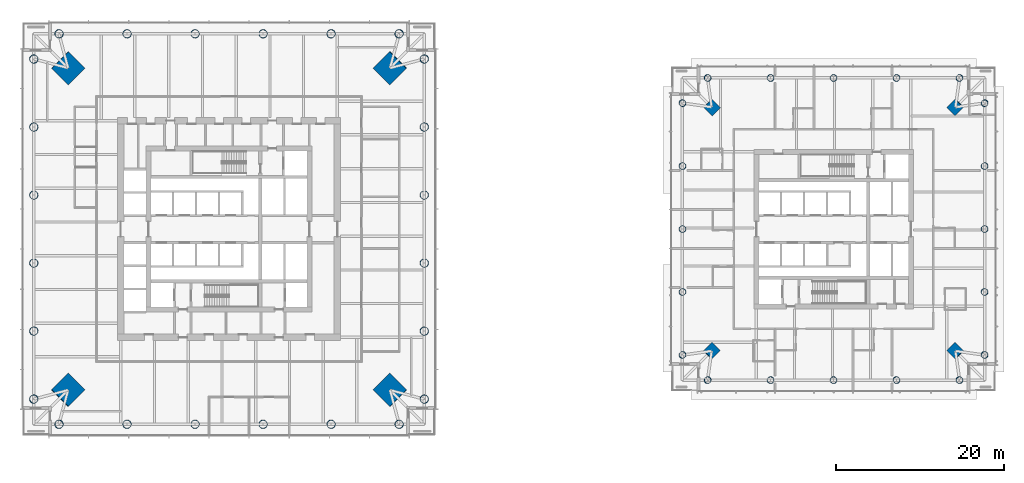
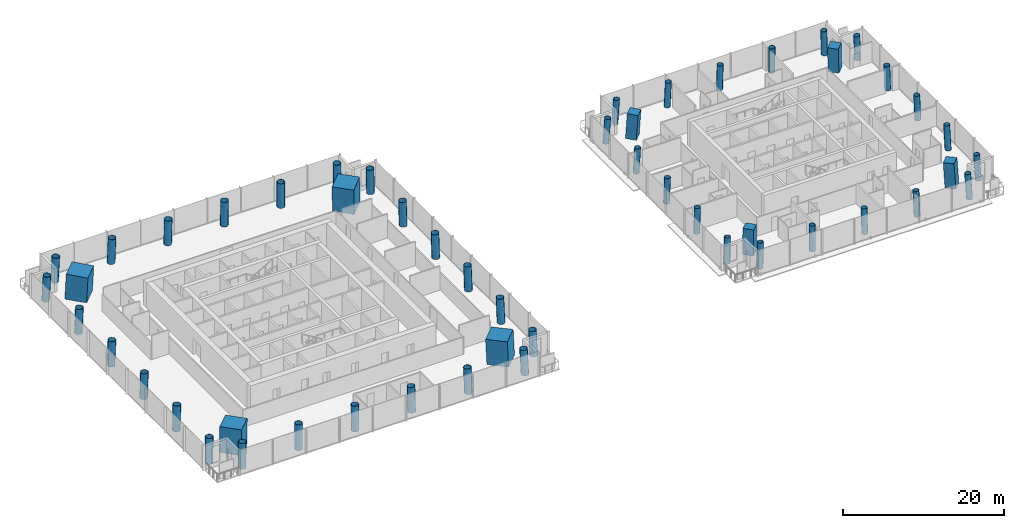
# One storey, part 1 of 21: 52 columns.
"""IFC4 building model written with IfcOpenShell, lengths in metres."""

from ifc_helpers import new_model, si_unit, direction, frame, origin, origin_2d, place, context, subcontext, project, spatial, rectangle, hollow_circle, extrude, material, material_profile, profile_set, type_object, element, save


model = new_model("IFC4")

# Units and contexts
model_context = context("Model", 3, precision=1e-05, world=origin(), true_north=direction((0.0, 1.0)))
body_context = subcontext(model_context, "Body", "Model", "MODEL_VIEW")
ifc_project = project(units=[si_unit("LENGTHUNIT", "METRE"), si_unit("AREAUNIT", "SQUARE_METRE"), si_unit("VOLUMEUNIT", "CUBIC_METRE"), si_unit("PLANEANGLEUNIT", "RADIAN"), si_unit("MASSUNIT", "GRAM", prefix="KILO")], contexts=[model_context])

# Site, building, storey
site_placement = place(None, origin())
site = spatial("IfcSite", under=ifc_project, at=site_placement, CompositionType="ELEMENT")
building_placement = place(site_placement, origin())
building = spatial("IfcBuilding", under=site, at=building_placement, Name="Ostroluk Exchange", CompositionType="ELEMENT")
storey_placement = place(building_placement, frame((0.0, 0.0, 43.800048828125)))
storey = spatial("IfcBuildingStorey", under=building, at=storey_placement, Name="L10", CompositionType="ELEMENT", Elevation=43.800048828125)

# Columns
ifc_material_1 = material(Name="Concrete C50/60", Category="concrete")
ifc_material_profile_1 = material_profile(ifc_material_1, rectangle(XDim=1.39990234375, YDim=1.39990234375, at=origin_2d()), Name="RC 1400x1400")
ifc_profile_set_1 = profile_set([ifc_material_profile_1], Name="Concrete C50/60")
column_type_1 = type_object("IfcColumnType", Name="Mega column RC 1400x1400", PredefinedType="COLUMN", material=ifc_profile_set_1)
for number, where, z_axis, x_axis, name in (
    (1, (131.517333984375, 60.517333984375, 0.0), (-0.043029647111, -0.043029647111, 0.998146732169), (0.707106781187, -0.707106781187, 0.0), "T2 mega column NE"),
    (2, (102.482666015625, 60.517333984375, 0.0), (0.043029647111, -0.043029647111, 0.998146732169), (0.707106781187, 0.707106781187, 0.0), "T2 mega column NW"),
    (3, (102.482666015625, 31.482666015625, 0.0), (0.043029647111, 0.043029647111, 0.998146732169), (-0.707106781187, 0.707106781187, 0.0), "T2 mega column SW"),
    (4, (131.517333984375, 31.482666015625, 0.0), (-0.043029647111, 0.043029647111, 0.998146732169), (-0.707106781187, -0.707106781187, 0.0), "T2 mega column SE"),
):
    element("IfcColumn", number, at=place(storey_placement, frame(where, z_axis=z_axis, x_axis=x_axis)), inside=storey, type_object=column_type_1, Name=name, PredefinedType="COLUMN", context=body_context, shape_type="SweptSolid", body=[
        extrude(rectangle(XDim=1.39990234375, YDim=1.39990234375, at=origin_2d()), origin(), (0.0, 0.0, 1.0), 3.80712890625),
    ])
ifc_material_2 = material(Name="Concrete C50/60", Category="concrete")
ifc_material_profile_2 = material_profile(ifc_material_2, rectangle(XDim=2.800048828125, YDim=2.800048828125, at=origin_2d()), Name="RC 2800x2800")
ifc_profile_set_2 = profile_set([ifc_material_profile_2], Name="Concrete C50/60")
column_type_2 = type_object("IfcColumnType", Name="Mega column RC 2800x2800", PredefinedType="COLUMN", material=ifc_profile_set_2)
for number, where, z_axis, x_axis, name in (
    (5, (64.17138671875, 65.17138671875, 0.0), (-0.031898107953, -0.031898107953, 0.998981992539), (0.707106781187, -0.707106781187, 0.0), "T1 mega column NE"),
    (6, (25.82861328125, 65.17138671875, 0.0), (0.031898107953, -0.031898107953, 0.998981992539), (0.707106781187, 0.707106781187, 0.0), "T1 mega column NW"),
    (7, (25.82861328125, 26.82861328125, 0.0), (0.031898107953, 0.031898107953, 0.998981992539), (-0.707106781187, 0.707106781187, 0.0), "T1 mega column SW"),
    (8, (64.17138671875, 26.82861328125, 0.0), (-0.031898107953, 0.031898107953, 0.998981992539), (-0.707106781187, -0.707106781187, 0.0), "T1 mega column SE"),
):
    element("IfcColumn", number, at=place(storey_placement, frame(where, z_axis=z_axis, x_axis=x_axis)), inside=storey, type_object=column_type_2, Name=name, PredefinedType="COLUMN", context=body_context, shape_type="SweptSolid", body=[
        extrude(rectangle(XDim=2.800048828125, YDim=2.800048828125, at=origin_2d()), origin(), (0.0, 0.0, 1.0), 3.803955078125),
    ])
ifc_material_3 = material(Name="Steel S460", Category="steel")
ifc_material_profile_3 = material_profile(ifc_material_3, hollow_circle(Radius=0.508056640625, WallThickness=0.0400390625, at=origin_2d()), Name="CHS 1016x40")
ifc_profile_set_3 = profile_set([ifc_material_profile_3], Name="Steel S460")
column_type_3 = type_object("IfcColumnType", Name="Perimeter column CHS 1016x40", PredefinedType="COLUMN", material=ifc_profile_set_3)
for number, where, z_axis, x_axis, name in (
    (9, (68.271484375, 25.728515625, 0.0), (-0.031962158256, 0.031962158256, 0.998977898093), (-0.707106781187, -0.707106781187, 0.0), "T1 east face column E0"),
    (10, (68.271484375, 66.271484375, 0.0), (-0.031962158256, -0.031962158256, 0.998977898093), (0.707106781187, -0.707106781187, 0.0), "T1 east face column E1"),
):
    element("IfcColumn", number, at=place(storey_placement, frame(where, z_axis=z_axis, x_axis=x_axis)), inside=storey, type_object=column_type_3, Name=name, PredefinedType="COLUMN", context=body_context, shape_type="SweptSolid", body=[
        extrude(hollow_circle(Radius=0.508056640625, WallThickness=0.0400390625, at=origin_2d()), origin(), (0.0, 0.0, 1.0), 3.803955078125),
    ])
column_1_placement = place(storey_placement, frame((68.271484375, 33.837158203125, 0.0), z_axis=(-0.031972643447, 0.019132224392, 0.999305612944), x_axis=(-0.51348181169, -0.858100477254, 0.0)))
element("IfcColumn", 11, at=column_1_placement, inside=storey, type_object=column_type_3, Name="T1 east face column I1", PredefinedType="COLUMN", context=body_context, shape_type="SweptSolid", body=[
    extrude(hollow_circle(Radius=0.508056640625, WallThickness=0.0400390625, at=origin_2d()), origin(), (0.0, 0.0, 1.0), 3.802734375),
])
for number, where, z_axis, x_axis, name in (
    (12, (68.271484375, 41.94580078125, 0.0), (-0.031977850555, 0.00635704258, 0.999468361222), (-0.194979757801, -0.980807266515, 0.0), "T1 east face column I2"),
    (13, (68.271484375, 50.05419921875, 0.0), (-0.031977850555, -0.00635704258, 0.999468361222), (0.194979757801, -0.980807266515, 0.0), "T1 east face column I3"),
):
    element("IfcColumn", number, at=place(storey_placement, frame(where, z_axis=z_axis, x_axis=x_axis)), inside=storey, type_object=column_type_3, Name=name, PredefinedType="COLUMN", context=body_context, shape_type="SweptSolid", body=[
        extrude(hollow_circle(Radius=0.508056640625, WallThickness=0.0400390625, at=origin_2d()), origin(), (0.0, 0.0, 1.0), 3.802001953125),
    ])
column_2_placement = place(storey_placement, frame((68.271484375, 58.162841796875, 0.0), z_axis=(-0.031972643447, -0.019132224392, 0.999305612944), x_axis=(0.51348181169, -0.858100477254, 0.0)))
element("IfcColumn", 14, at=column_2_placement, inside=storey, type_object=column_type_3, Name="T1 east face column I4", PredefinedType="COLUMN", context=body_context, shape_type="SweptSolid", body=[
    extrude(hollow_circle(Radius=0.508056640625, WallThickness=0.0400390625, at=origin_2d()), origin(), (0.0, 0.0, 1.0), 3.802734375),
])
for number, where, z_axis, x_axis, name in (
    (15, (65.271484375, 69.271484375, 0.0), (-0.031962158256, -0.031962158256, 0.998977898093), (0.707106781187, -0.707106781187, 0.0), "T1 north face column E0"),
    (16, (24.728515625, 69.271484375, 0.0), (0.031962158256, -0.031962158256, 0.998977898093), (0.707106781187, 0.707106781187, 0.0), "T1 north face column E1"),
):
    element("IfcColumn", number, at=place(storey_placement, frame(where, z_axis=z_axis, x_axis=x_axis)), inside=storey, type_object=column_type_3, Name=name, PredefinedType="COLUMN", context=body_context, shape_type="SweptSolid", body=[
        extrude(hollow_circle(Radius=0.508056640625, WallThickness=0.0400390625, at=origin_2d()), origin(), (0.0, 0.0, 1.0), 3.803955078125),
    ])
column_3_placement = place(storey_placement, frame((57.162841796875, 69.271484375, 0.0), z_axis=(-0.019132224392, -0.031972643447, 0.999305612944), x_axis=(0.858100477254, -0.51348181169, 0.0)))
element("IfcColumn", 17, at=column_3_placement, inside=storey, type_object=column_type_3, Name="T1 north face column I1", PredefinedType="COLUMN", context=body_context, shape_type="SweptSolid", body=[
    extrude(hollow_circle(Radius=0.508056640625, WallThickness=0.0400390625, at=origin_2d()), origin(), (0.0, 0.0, 1.0), 3.802734375),
])
for number, where, z_axis, x_axis, name in (
    (18, (49.05419921875, 69.271484375, 0.0), (-0.00635704258, -0.031977850555, 0.999468361222), (0.980807266515, -0.194979757801, 0.0), "T1 north face column I2"),
    (19, (40.94580078125, 69.271484375, 0.0), (0.00635704258, -0.031977850555, 0.999468361222), (0.980807266515, 0.194979757801, 0.0), "T1 north face column I3"),
):
    element("IfcColumn", number, at=place(storey_placement, frame(where, z_axis=z_axis, x_axis=x_axis)), inside=storey, type_object=column_type_3, Name=name, PredefinedType="COLUMN", context=body_context, shape_type="SweptSolid", body=[
        extrude(hollow_circle(Radius=0.508056640625, WallThickness=0.0400390625, at=origin_2d()), origin(), (0.0, 0.0, 1.0), 3.802001953125),
    ])
column_4_placement = place(storey_placement, frame((32.837158203125, 69.271484375, 0.0), z_axis=(0.019132224392, -0.031972643447, 0.999305612944), x_axis=(0.858100477254, 0.51348181169, 0.0)))
element("IfcColumn", 20, at=column_4_placement, inside=storey, type_object=column_type_3, Name="T1 north face column I4", PredefinedType="COLUMN", context=body_context, shape_type="SweptSolid", body=[
    extrude(hollow_circle(Radius=0.508056640625, WallThickness=0.0400390625, at=origin_2d()), origin(), (0.0, 0.0, 1.0), 3.802734375),
])
for number, where, z_axis, x_axis, name in (
    (21, (21.728515625, 66.271484375, 0.0), (0.031962158256, -0.031962158256, 0.998977898093), (0.707106781187, 0.707106781187, 0.0), "T1 west face column E0"),
    (22, (21.728515625, 25.728515625, 0.0), (0.031962158256, 0.031962158256, 0.998977898093), (-0.707106781187, 0.707106781187, 0.0), "T1 west face column E1"),
):
    element("IfcColumn", number, at=place(storey_placement, frame(where, z_axis=z_axis, x_axis=x_axis)), inside=storey, type_object=column_type_3, Name=name, PredefinedType="COLUMN", context=body_context, shape_type="SweptSolid", body=[
        extrude(hollow_circle(Radius=0.508056640625, WallThickness=0.0400390625, at=origin_2d()), origin(), (0.0, 0.0, 1.0), 3.803955078125),
    ])
column_5_placement = place(storey_placement, frame((21.728515625, 58.162841796875, 0.0), z_axis=(0.031972643447, -0.019132224392, 0.999305612944), x_axis=(0.51348181169, 0.858100477254, 0.0)))
element("IfcColumn", 23, at=column_5_placement, inside=storey, type_object=column_type_3, Name="T1 west face column I1", PredefinedType="COLUMN", context=body_context, shape_type="SweptSolid", body=[
    extrude(hollow_circle(Radius=0.508056640625, WallThickness=0.0400390625, at=origin_2d()), origin(), (0.0, 0.0, 1.0), 3.802734375),
])
for number, where, z_axis, x_axis, name in (
    (24, (21.728515625, 50.05419921875, 0.0), (0.031977850555, -0.00635704258, 0.999468361222), (0.194979757801, 0.980807266515, 0.0), "T1 west face column I2"),
    (25, (21.728515625, 41.94580078125, 0.0), (0.031977850555, 0.00635704258, 0.999468361222), (-0.194979757801, 0.980807266515, 0.0), "T1 west face column I3"),
):
    element("IfcColumn", number, at=place(storey_placement, frame(where, z_axis=z_axis, x_axis=x_axis)), inside=storey, type_object=column_type_3, Name=name, PredefinedType="COLUMN", context=body_context, shape_type="SweptSolid", body=[
        extrude(hollow_circle(Radius=0.508056640625, WallThickness=0.0400390625, at=origin_2d()), origin(), (0.0, 0.0, 1.0), 3.802001953125),
    ])
column_6_placement = place(storey_placement, frame((21.728515625, 33.837158203125, 0.0), z_axis=(0.031972643447, 0.019132224392, 0.999305612944), x_axis=(-0.51348181169, 0.858100477254, 0.0)))
element("IfcColumn", 26, at=column_6_placement, inside=storey, type_object=column_type_3, Name="T1 west face column I4", PredefinedType="COLUMN", context=body_context, shape_type="SweptSolid", body=[
    extrude(hollow_circle(Radius=0.508056640625, WallThickness=0.0400390625, at=origin_2d()), origin(), (0.0, 0.0, 1.0), 3.802734375),
])
for number, where, z_axis, x_axis, name in (
    (27, (24.728515625, 22.728515625, 0.0), (0.031962158256, 0.031962158256, 0.998977898093), (-0.707106781187, 0.707106781187, 0.0), "T1 south face column E0"),
    (28, (65.271484375, 22.728515625, 0.0), (-0.031962158256, 0.031962158256, 0.998977898093), (-0.707106781187, -0.707106781187, 0.0), "T1 south face column E1"),
):
    element("IfcColumn", number, at=place(storey_placement, frame(where, z_axis=z_axis, x_axis=x_axis)), inside=storey, type_object=column_type_3, Name=name, PredefinedType="COLUMN", context=body_context, shape_type="SweptSolid", body=[
        extrude(hollow_circle(Radius=0.508056640625, WallThickness=0.0400390625, at=origin_2d()), origin(), (0.0, 0.0, 1.0), 3.803955078125),
    ])
column_7_placement = place(storey_placement, frame((32.837158203125, 22.728515625, 0.0), z_axis=(0.019132224392, 0.031972643447, 0.999305612944), x_axis=(-0.858100477254, 0.51348181169, 0.0)))
element("IfcColumn", 29, at=column_7_placement, inside=storey, type_object=column_type_3, Name="T1 south face column I1", PredefinedType="COLUMN", context=body_context, shape_type="SweptSolid", body=[
    extrude(hollow_circle(Radius=0.508056640625, WallThickness=0.0400390625, at=origin_2d()), origin(), (0.0, 0.0, 1.0), 3.802734375),
])
for number, where, z_axis, x_axis, name in (
    (30, (40.94580078125, 22.728515625, 0.0), (0.00635704258, 0.031977850555, 0.999468361222), (-0.980807266515, 0.194979757801, 0.0), "T1 south face column I2"),
    (31, (49.05419921875, 22.728515625, 0.0), (-0.00635704258, 0.031977850555, 0.999468361222), (-0.980807266515, -0.194979757801, 0.0), "T1 south face column I3"),
):
    element("IfcColumn", number, at=place(storey_placement, frame(where, z_axis=z_axis, x_axis=x_axis)), inside=storey, type_object=column_type_3, Name=name, PredefinedType="COLUMN", context=body_context, shape_type="SweptSolid", body=[
        extrude(hollow_circle(Radius=0.508056640625, WallThickness=0.0400390625, at=origin_2d()), origin(), (0.0, 0.0, 1.0), 3.802001953125),
    ])
column_8_placement = place(storey_placement, frame((57.162841796875, 22.728515625, 0.0), z_axis=(-0.019132224392, 0.031972643447, 0.999305612944), x_axis=(-0.858100477254, -0.51348181169, 0.0)))
element("IfcColumn", 32, at=column_8_placement, inside=storey, type_object=column_type_3, Name="T1 south face column I4", PredefinedType="COLUMN", context=body_context, shape_type="SweptSolid", body=[
    extrude(hollow_circle(Radius=0.508056640625, WallThickness=0.0400390625, at=origin_2d()), origin(), (0.0, 0.0, 1.0), 3.802734375),
])
ifc_material_4 = material(Name="Steel S460", Category="steel")
ifc_material_profile_4 = material_profile(ifc_material_4, hollow_circle(Radius=0.406494140625, WallThickness=0.030029296875, at=origin_2d()), Name="CHS 813x30")
ifc_profile_set_4 = profile_set([ifc_material_profile_4], Name="Steel S460")
column_type_4 = type_object("IfcColumnType", Name="Perimeter column CHS 813x30", PredefinedType="COLUMN", material=ifc_profile_set_4)
for number, where, z_axis, x_axis, name in (
    (33, (135.017333984375, 30.982666015625, 0.0), (-0.043029647111, 0.043029647111, 0.998146732169), (-0.707106781187, -0.707106781187, 0.0), "T2 east face column E0"),
    (34, (135.017333984375, 61.017333984375, 0.0), (-0.043029647111, -0.043029647111, 0.998146732169), (0.707106781187, -0.707106781187, 0.0), "T2 east face column E1"),
):
    element("IfcColumn", number, at=place(storey_placement, frame(where, z_axis=z_axis, x_axis=x_axis)), inside=storey, type_object=column_type_4, Name=name, PredefinedType="COLUMN", context=body_context, shape_type="SweptSolid", body=[
        extrude(hollow_circle(Radius=0.406494140625, WallThickness=0.030029296875, at=origin_2d()), origin(), (0.0, 0.0, 1.0), 3.80712890625),
    ])
column_9_placement = place(storey_placement, frame((135.017333984375, 38.491455078125, 0.0), z_axis=(-0.043059584825, 0.021497706284, 0.998841188968), x_axis=(-0.446680166538, -0.894693706707, 0.0)))
element("IfcColumn", 35, at=column_9_placement, inside=storey, type_object=column_type_4, Name="T2 east face column I1", PredefinedType="COLUMN", context=body_context, shape_type="SweptSolid", body=[
    extrude(hollow_circle(Radius=0.406494140625, WallThickness=0.030029296875, at=origin_2d()), origin(), (0.0, 0.0, 1.0), 3.804443359375),
])
column_10_placement = place(storey_placement, frame((135.017333984375, 46.0, 0.0), z_axis=(-0.043069538298, 0.0, 0.999072076915), x_axis=(0.0, -1.0, 0.0)))
element("IfcColumn", 36, at=column_10_placement, inside=storey, type_object=column_type_4, Name="T2 east face column I2", PredefinedType="COLUMN", context=body_context, shape_type="SweptSolid", body=[
    extrude(hollow_circle(Radius=0.406494140625, WallThickness=0.030029296875, at=origin_2d()), origin(), (0.0, 0.0, 1.0), 3.803466796875),
])
column_11_placement = place(storey_placement, frame((135.017333984375, 53.508544921875, 0.0), z_axis=(-0.043059584825, -0.021497706284, 0.998841188968), x_axis=(0.446680166538, -0.894693706707, 0.0)))
element("IfcColumn", 37, at=column_11_placement, inside=storey, type_object=column_type_4, Name="T2 east face column I3", PredefinedType="COLUMN", context=body_context, shape_type="SweptSolid", body=[
    extrude(hollow_circle(Radius=0.406494140625, WallThickness=0.030029296875, at=origin_2d()), origin(), (0.0, 0.0, 1.0), 3.804443359375),
])
for number, where, z_axis, x_axis, name in (
    (38, (132.017333984375, 64.017333984375, 0.0), (-0.043029647111, -0.043029647111, 0.998146732169), (0.707106781187, -0.707106781187, 0.0), "T2 north face column E0"),
    (39, (101.982666015625, 64.017333984375, 0.0), (0.043029647111, -0.043029647111, 0.998146732169), (0.707106781187, 0.707106781187, 0.0), "T2 north face column E1"),
):
    element("IfcColumn", number, at=place(storey_placement, frame(where, z_axis=z_axis, x_axis=x_axis)), inside=storey, type_object=column_type_4, Name=name, PredefinedType="COLUMN", context=body_context, shape_type="SweptSolid", body=[
        extrude(hollow_circle(Radius=0.406494140625, WallThickness=0.030029296875, at=origin_2d()), origin(), (0.0, 0.0, 1.0), 3.80712890625),
    ])
column_12_placement = place(storey_placement, frame((124.508544921875, 64.017333984375, 0.0), z_axis=(-0.021497706284, -0.043059584825, 0.998841188968), x_axis=(0.894693706707, -0.446680166538, 0.0)))
element("IfcColumn", 40, at=column_12_placement, inside=storey, type_object=column_type_4, Name="T2 north face column I1", PredefinedType="COLUMN", context=body_context, shape_type="SweptSolid", body=[
    extrude(hollow_circle(Radius=0.406494140625, WallThickness=0.030029296875, at=origin_2d()), origin(), (0.0, 0.0, 1.0), 3.804443359375),
])
column_13_placement = place(storey_placement, frame((117.0, 64.017333984375, 0.0), z_axis=(0.0, -0.043069538298, 0.999072076915), x_axis=(1.0, 0.0, 0.0)))
element("IfcColumn", 41, at=column_13_placement, inside=storey, type_object=column_type_4, Name="T2 north face column I2", PredefinedType="COLUMN", context=body_context, shape_type="SweptSolid", body=[
    extrude(hollow_circle(Radius=0.406494140625, WallThickness=0.030029296875, at=origin_2d()), origin(), (0.0, 0.0, 1.0), 3.803466796875),
])
column_14_placement = place(storey_placement, frame((109.491455078125, 64.017333984375, 0.0), z_axis=(0.021497706284, -0.043059584825, 0.998841188968), x_axis=(0.894693706707, 0.446680166538, 0.0)))
element("IfcColumn", 42, at=column_14_placement, inside=storey, type_object=column_type_4, Name="T2 north face column I3", PredefinedType="COLUMN", context=body_context, shape_type="SweptSolid", body=[
    extrude(hollow_circle(Radius=0.406494140625, WallThickness=0.030029296875, at=origin_2d()), origin(), (0.0, 0.0, 1.0), 3.804443359375),
])
for number, where, z_axis, x_axis, name in (
    (43, (98.982666015625, 61.017333984375, 0.0), (0.043029647111, -0.043029647111, 0.998146732169), (0.707106781187, 0.707106781187, 0.0), "T2 west face column E0"),
    (44, (98.982666015625, 30.982666015625, 0.0), (0.043029647111, 0.043029647111, 0.998146732169), (-0.707106781187, 0.707106781187, 0.0), "T2 west face column E1"),
):
    element("IfcColumn", number, at=place(storey_placement, frame(where, z_axis=z_axis, x_axis=x_axis)), inside=storey, type_object=column_type_4, Name=name, PredefinedType="COLUMN", context=body_context, shape_type="SweptSolid", body=[
        extrude(hollow_circle(Radius=0.406494140625, WallThickness=0.030029296875, at=origin_2d()), origin(), (0.0, 0.0, 1.0), 3.80712890625),
    ])
column_15_placement = place(storey_placement, frame((98.982666015625, 53.508544921875, 0.0), z_axis=(0.043059584825, -0.021497706284, 0.998841188968), x_axis=(0.446680166538, 0.894693706707, 0.0)))
element("IfcColumn", 45, at=column_15_placement, inside=storey, type_object=column_type_4, Name="T2 west face column I1", PredefinedType="COLUMN", context=body_context, shape_type="SweptSolid", body=[
    extrude(hollow_circle(Radius=0.406494140625, WallThickness=0.030029296875, at=origin_2d()), origin(), (0.0, 0.0, 1.0), 3.804443359375),
])
column_16_placement = place(storey_placement, frame((98.982666015625, 46.0, 0.0), z_axis=(0.043069538298, 0.0, 0.999072076915), x_axis=(0.0, 1.0, 0.0)))
element("IfcColumn", 46, at=column_16_placement, inside=storey, type_object=column_type_4, Name="T2 west face column I2", PredefinedType="COLUMN", context=body_context, shape_type="SweptSolid", body=[
    extrude(hollow_circle(Radius=0.406494140625, WallThickness=0.030029296875, at=origin_2d()), origin(), (0.0, 0.0, 1.0), 3.803466796875),
])
column_17_placement = place(storey_placement, frame((98.982666015625, 38.491455078125, 0.0), z_axis=(0.043059584825, 0.021497706284, 0.998841188968), x_axis=(-0.446680166538, 0.894693706707, 0.0)))
element("IfcColumn", 47, at=column_17_placement, inside=storey, type_object=column_type_4, Name="T2 west face column I3", PredefinedType="COLUMN", context=body_context, shape_type="SweptSolid", body=[
    extrude(hollow_circle(Radius=0.406494140625, WallThickness=0.030029296875, at=origin_2d()), origin(), (0.0, 0.0, 1.0), 3.804443359375),
])
for number, where, z_axis, x_axis, name in (
    (48, (101.982666015625, 27.982666015625, 0.0), (0.043029647111, 0.043029647111, 0.998146732169), (-0.707106781187, 0.707106781187, 0.0), "T2 south face column E0"),
    (49, (132.017333984375, 27.982666015625, 0.0), (-0.043029647111, 0.043029647111, 0.998146732169), (-0.707106781187, -0.707106781187, 0.0), "T2 south face column E1"),
):
    element("IfcColumn", number, at=place(storey_placement, frame(where, z_axis=z_axis, x_axis=x_axis)), inside=storey, type_object=column_type_4, Name=name, PredefinedType="COLUMN", context=body_context, shape_type="SweptSolid", body=[
        extrude(hollow_circle(Radius=0.406494140625, WallThickness=0.030029296875, at=origin_2d()), origin(), (0.0, 0.0, 1.0), 3.80712890625),
    ])
column_18_placement = place(storey_placement, frame((109.491455078125, 27.982666015625, 0.0), z_axis=(0.021497706284, 0.043059584825, 0.998841188968), x_axis=(-0.894693706707, 0.446680166538, 0.0)))
element("IfcColumn", 50, at=column_18_placement, inside=storey, type_object=column_type_4, Name="T2 south face column I1", PredefinedType="COLUMN", context=body_context, shape_type="SweptSolid", body=[
    extrude(hollow_circle(Radius=0.406494140625, WallThickness=0.030029296875, at=origin_2d()), origin(), (0.0, 0.0, 1.0), 3.804443359375),
])
column_19_placement = place(storey_placement, frame((117.0, 27.982666015625, 0.0), z_axis=(0.0, 0.043069538298, 0.999072076915), x_axis=(-1.0, 0.0, 0.0)))
element("IfcColumn", 51, at=column_19_placement, inside=storey, type_object=column_type_4, Name="T2 south face column I2", PredefinedType="COLUMN", context=body_context, shape_type="SweptSolid", body=[
    extrude(hollow_circle(Radius=0.406494140625, WallThickness=0.030029296875, at=origin_2d()), origin(), (0.0, 0.0, 1.0), 3.803466796875),
])
column_20_placement = place(storey_placement, frame((124.508544921875, 27.982666015625, 0.0), z_axis=(-0.021497706284, 0.043059584825, 0.998841188968), x_axis=(-0.894693706707, -0.446680166538, 0.0)))
element("IfcColumn", 52, at=column_20_placement, inside=storey, type_object=column_type_4, Name="T2 south face column I3", PredefinedType="COLUMN", context=body_context, shape_type="SweptSolid", body=[
    extrude(hollow_circle(Radius=0.406494140625, WallThickness=0.030029296875, at=origin_2d()), origin(), (0.0, 0.0, 1.0), 3.804443359375),
])

save(model, "model.ifc")
